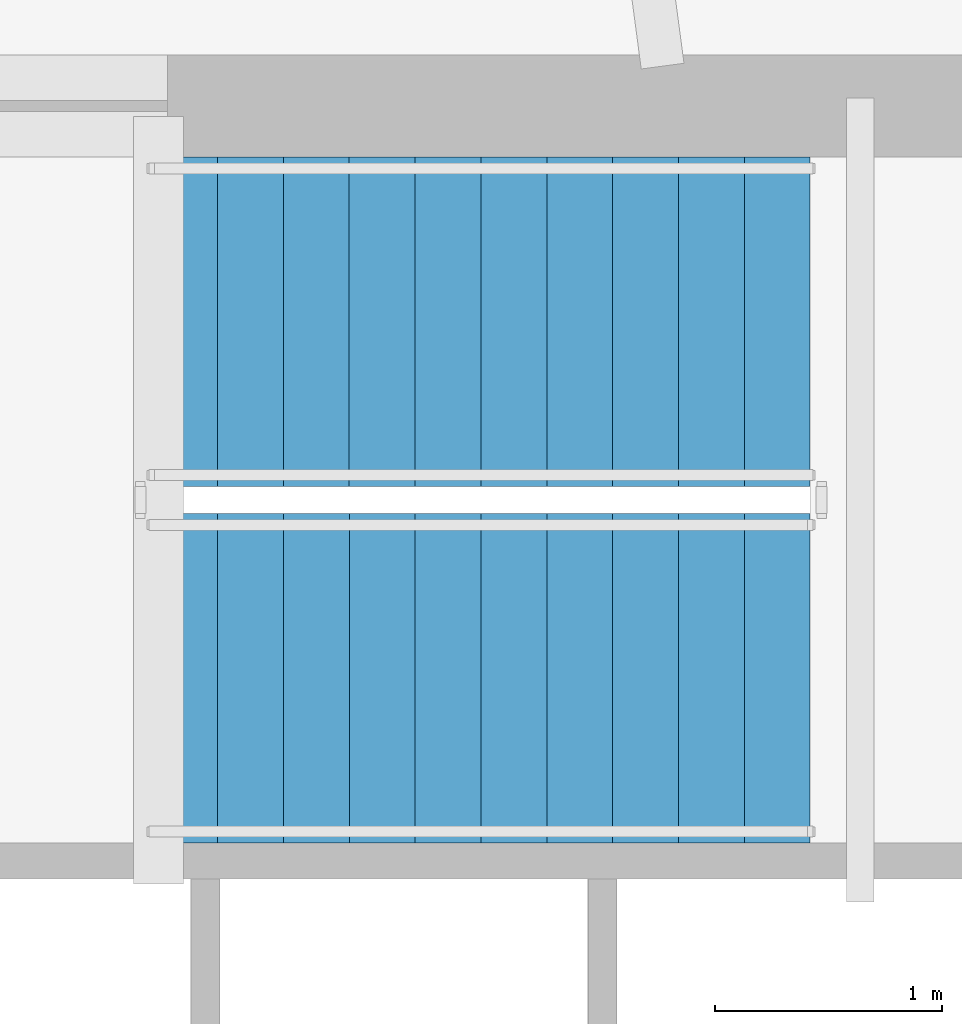
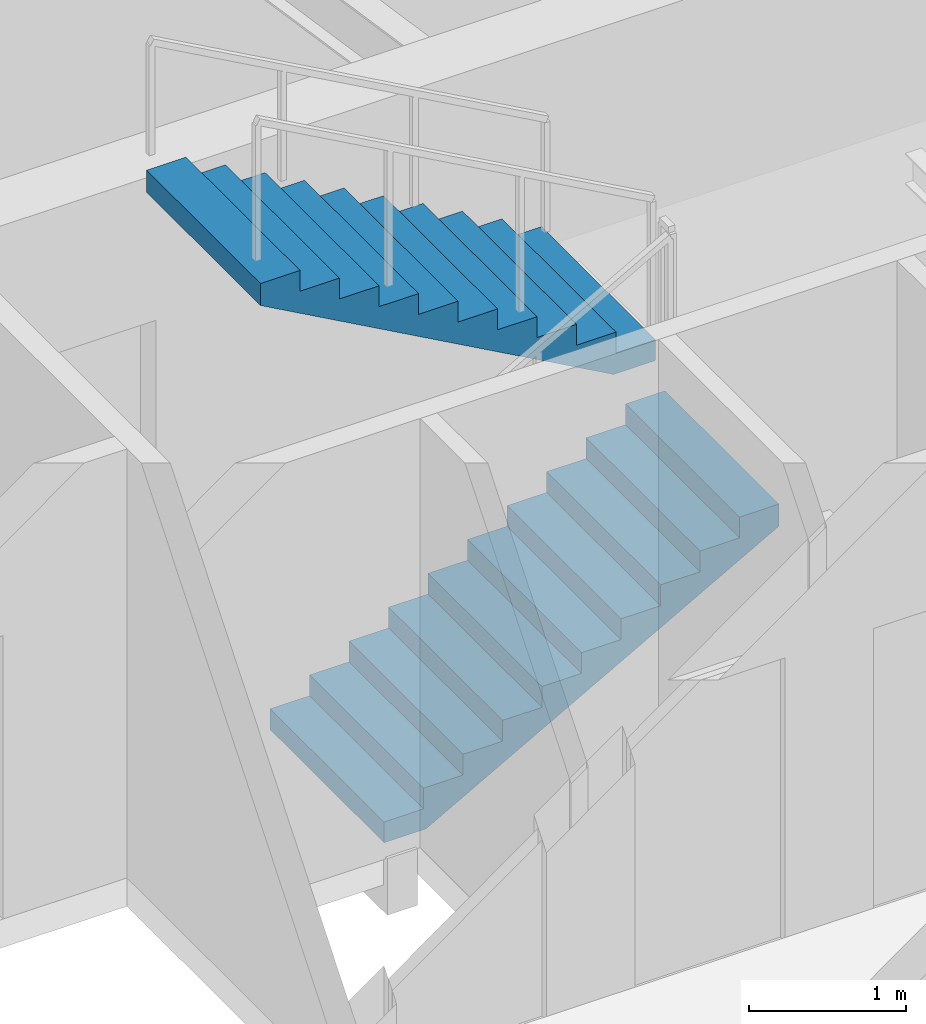
# One storey, part 11 of 15: 2 stair flights, 1 element without a shape of its own.
"""IFC4 building model written with IfcOpenShell, lengths in metres."""

from ifc_helpers import new_model, si_unit, direction, frame, origin, place, context, subcontext, project, spatial, polyline, outline, extrude, material, type_object, element, aggregate, save


model = new_model("IFC4")

# Units and contexts
model_context = context("Model", 3, precision=1e-05, world=origin(), true_north=direction((0.0, 1.0)))
body_context = subcontext(model_context, "Body", "Model", "MODEL_VIEW")
ifc_project = project(units=[si_unit("LENGTHUNIT", "METRE"), si_unit("AREAUNIT", "SQUARE_METRE"), si_unit("VOLUMEUNIT", "CUBIC_METRE"), si_unit("PLANEANGLEUNIT", "RADIAN"), si_unit("MASSUNIT", "GRAM", prefix="KILO")], contexts=[model_context])

# Site, building, storey
site_placement = place(None, origin())
site = spatial("IfcSite", under=ifc_project, at=site_placement, CompositionType="ELEMENT")
building_placement = place(site_placement, origin())
building = spatial("IfcBuilding", under=site, at=building_placement, Name="Olszyna Solenne Hotel", CompositionType="ELEMENT")
storey_placement = place(building_placement, frame((0.0, 0.0, 213.14990234375)))
storey = spatial("IfcBuildingStorey", under=building, at=storey_placement, Name="L56", CompositionType="ELEMENT", Elevation=213.14990234375)

# Stair, stair flights
ifc_material = material(Name="Concrete C40/50", Category="concrete")
stair_type = type_object("IfcStairType", Name="STR-C1", PredefinedType="TWO_QUARTER_WINDING_STAIR", material=ifc_material)
stair_placement = place(storey_placement, origin())
stair = element("IfcStair", 1, at=stair_placement, inside=storey, type_object=stair_type, Name="L56 ST3", PredefinedType="TWO_QUARTER_WINDING_STAIR")
stair_flight_type = type_object("IfcStairFlightType", Name="FLT-C1", PredefinedType="STRAIGHT", material=ifc_material)
stair_flight_1_placement = place(storey_placement, frame((34.72998046875, 31.405029296875, 0.0), z_axis=(0.0, 0.0, 1.0), x_axis=(1.0, 0.0, 0.0)))
stair_flight_1 = element("IfcStairFlight", 2, at=stair_flight_1_placement, type_object=stair_flight_type, Name="ST3 flight 1", NumberOfRisers=11, NumberOfTreads=10, PredefinedType="STRAIGHT", RiserHeight=0.161363636, TreadLength=0.29, context=body_context, shape_type="SweptSolid", body=[
    extrude(outline(polyline([(0.0, 0.0), (0.0, 0.161376953125), (0.2900390625, 0.161376953125), (0.2900390625, 0.32275390625), (0.580078125, 0.32275390625), (0.580078125, 0.484130859375), (0.8701171875, 0.484130859375), (0.8701171875, 0.6455078125), (1.159912109375, 0.6455078125), (1.159912109375, 0.806884765625), (1.449951171875, 0.806884765625), (1.449951171875, 0.96826171875), (1.739990234375, 0.96826171875), (1.739990234375, 1.129638671875), (2.030029296875, 1.129638671875), (2.030029296875, 1.291015625), (2.320068359375, 1.291015625), (2.320068359375, 1.452392578125), (2.610107421875, 1.452392578125), (2.610107421875, 1.613525390625), (2.89990234375, 1.613525390625), (2.89990234375, 1.77490234375), (2.89990234375, 1.442138671875), (0.308349609375, 0.0), (0.0, 0.0)])), frame((0.0, 0.72509765625, 0.0), z_axis=(0.0, -1.0, 0.0), x_axis=(1.0, 0.0, 0.0)), (0.0, 0.0, 1.0), 1.449951171875),
])
stair_flight_2_placement = place(storey_placement, frame((37.6298828125, 32.97509765625, 1.775146484375), z_axis=(0.0, 0.0, 1.0), x_axis=(-1.0, 0.0, 0.0)))
stair_flight_2 = element("IfcStairFlight", 3, at=stair_flight_2_placement, type_object=stair_flight_type, Name="ST3 flight 2", NumberOfRisers=11, NumberOfTreads=10, PredefinedType="STRAIGHT", RiserHeight=0.161363636, TreadLength=0.29, context=body_context, shape_type="SweptSolid", body=[
    extrude(outline(polyline([(0.0, 0.0), (0.0, 0.161376953125), (0.2900390625, 0.161376953125), (0.2900390625, 0.32275390625), (0.580078125, 0.32275390625), (0.580078125, 0.484130859375), (0.8701171875, 0.484130859375), (0.8701171875, 0.6455078125), (1.159912109375, 0.6455078125), (1.159912109375, 0.806884765625), (1.449951171875, 0.806884765625), (1.449951171875, 0.96826171875), (1.739990234375, 0.96826171875), (1.739990234375, 1.129638671875), (2.030029296875, 1.129638671875), (2.030029296875, 1.291015625), (2.320068359375, 1.291015625), (2.320068359375, 1.452392578125), (2.610107421875, 1.452392578125), (2.610107421875, 1.613525390625), (2.89990234375, 1.613525390625), (2.89990234375, 1.77490234375), (2.89990234375, 1.442138671875), (0.308349609375, 0.0), (0.0, 0.0)])), frame((0.0, 0.72509765625, 0.0), z_axis=(0.0, -1.0, 0.0), x_axis=(1.0, 0.0, 0.0)), (0.0, 0.0, 1.0), 1.449951171875),
])
aggregate(stair, [stair_flight_1, stair_flight_2])

save(model, "model.ifc")
